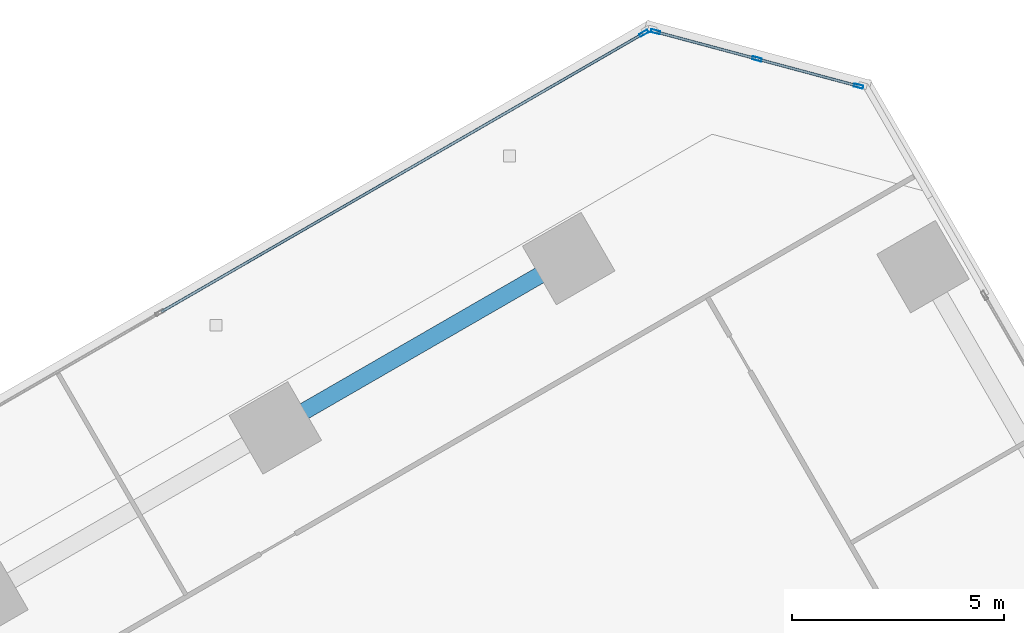
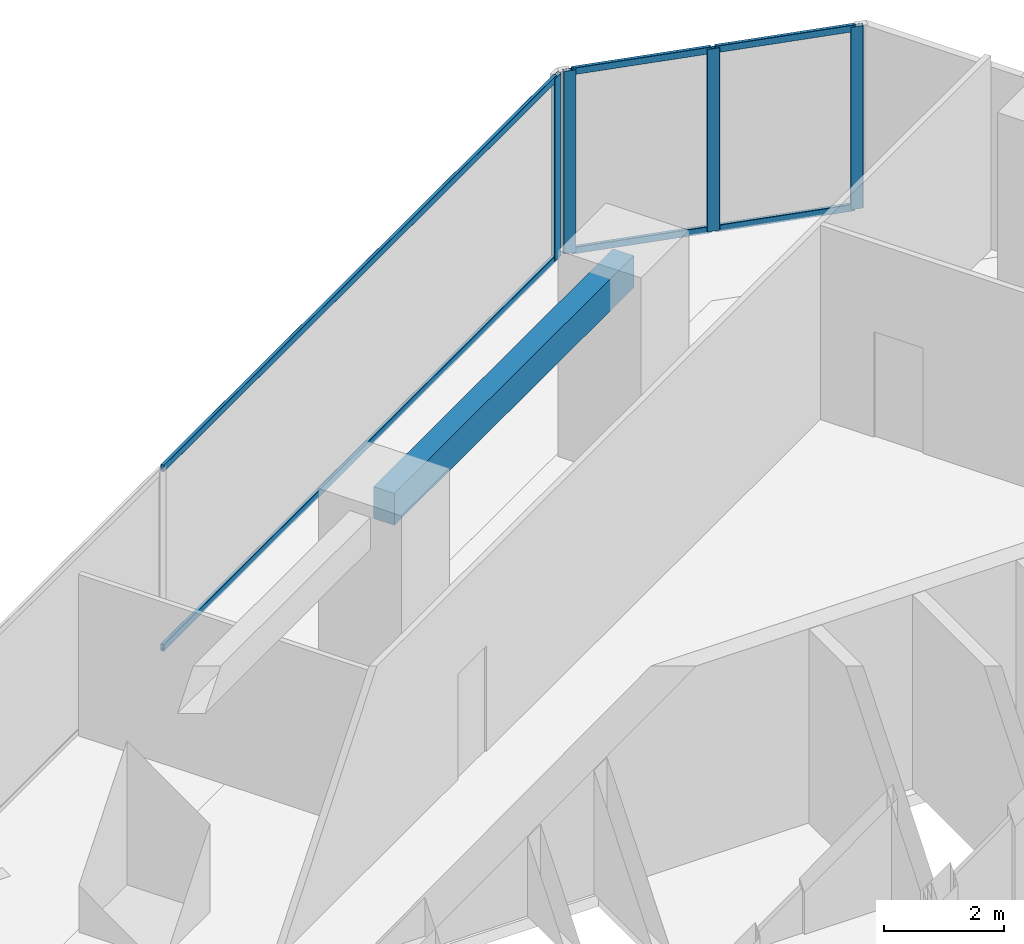
# One storey, part 9 of 16: 10 members, 1 beam, 2 elements without a shape of their own.
"""IFC4 building model written with IfcOpenShell, lengths in metres."""

from ifc_helpers import new_model, si_unit, direction, frame, origin, origin_2d, place, context, subcontext, project, spatial, rectangle, hollow_rectangle, extrude, source, transform, mapped, material, material_profile, profile_set, type_object, element, aggregate, save


model = new_model("IFC4")

# Units and contexts
model_context = context("Model", 3, precision=1e-05, world=origin(), true_north=direction((0.0, 1.0)))
body_context = subcontext(model_context, "Body", "Model", "MODEL_VIEW")
ifc_project = project(units=[si_unit("LENGTHUNIT", "METRE"), si_unit("AREAUNIT", "SQUARE_METRE"), si_unit("VOLUMEUNIT", "CUBIC_METRE"), si_unit("PLANEANGLEUNIT", "RADIAN"), si_unit("MASSUNIT", "GRAM", prefix="KILO")], contexts=[model_context])

# Site, building, storey
site_placement = place(None, origin())
site = spatial("IfcSite", under=ifc_project, at=site_placement, CompositionType="ELEMENT")
building_placement = place(site_placement, origin())
building = spatial("IfcBuilding", under=site, at=building_placement, Name="Torre Montelarca", CompositionType="ELEMENT")
storey_placement = place(building_placement, frame((0.0, 0.0, 319.800048828125)))
storey = spatial("IfcBuildingStorey", under=building, at=storey_placement, Name="L72", CompositionType="ELEMENT", Elevation=319.800048828125)

# Beam
ifc_material_1 = material(Name="Concrete C40/50", Category="concrete")
ifc_material_profile_1 = material_profile(ifc_material_1, rectangle(XDim=0.39990234375, YDim=0.64990234375, at=origin_2d()), Name="RCB400X650", Category="concrete")
ifc_profile_set_1 = profile_set([ifc_material_profile_1], Name="Concrete C40/50")
beam_type = type_object("IfcBeamType", Name="BM-SP-RC650-EXT", PredefinedType="SPANDREL", material=ifc_profile_set_1)
shared_shape_1 = source(origin(), body_context, "Body", "SweptSolid", [
    extrude(rectangle(XDim=0.39990234375, YDim=0.64990234375, at=origin_2d()), origin(), (0.0, 0.0, 1.0), 8.0),
])
beam_placement = place(storey_placement, frame((13.074951171875, 46.592529296875, 3.635009765625), z_axis=(0.866026010844, 0.49999894854, 0.0), x_axis=(-0.49999894854, 0.866026010844, 0.0)))
element("IfcBeam", 1, at=beam_placement, inside=storey, type_object=beam_type, Name="L72 Grid Girder Y 32.0-40.0 at X=4.7", PredefinedType="SPANDREL", context=body_context, shape_type="MappedRepresentation", body=[
    mapped(shared_shape_1, transform((0.0, 0.0, 0.0), scale=1.0)),
])

# Curtain wall, members
ifc_material_2 = material(Name="Insulated low-E laminated glass", Category="glass")
curtain_wall_type = type_object("IfcCurtainWallType", Name="CW-SYS-Z4", PredefinedType="USERDEFINED", material=ifc_material_2)
curtain_wall_1_placement = place(storey_placement, origin())
curtain_wall_1 = element("IfcCurtainWall", 2, at=curtain_wall_1_placement, inside=storey, type_object=curtain_wall_type, Name="L72 Curtain Wall Run CW-T3-L72-E09-B1", ObjectType="UNITISED GLAZING", PredefinedType="USERDEFINED")
ifc_material_3 = material(Name="Anodised aluminium AA 6063-T6", Category="aluminium")
ifc_material_profile_2 = material_profile(ifc_material_3, hollow_rectangle(XDim=0.074951171875, YDim=0.219970703125, WallThickness=0.0048828125, InnerFilletRadius=0.0048828125, OuterFilletRadius=0.010009765625, at=origin_2d()), Name="ALU75X220X5", Category="aluminium")
ifc_profile_set_2 = profile_set([ifc_material_profile_2], Name="Anodised aluminium AA 6063-T6")
member_type_1 = type_object("IfcMemberType", Name="CWM-ALU220", PredefinedType="MULLION", material=ifc_profile_set_2)
shared_shape_2 = source(origin(), body_context, "Body", "SweptSolid", [
    extrude(hollow_rectangle(XDim=0.074951171875, YDim=0.219970703125, WallThickness=0.0048828125, InnerFilletRadius=0.0048828125, OuterFilletRadius=0.010009765625, at=origin_2d()), origin(), (0.0, 0.0, 1.0), 3.719970703125),
])
member_1_placement = place(storey_placement, frame((26.849365234375, 54.662841796875, 0.0), z_axis=(0.0, 0.0, 1.0), x_axis=(-0.258815391137, -0.965926805359, 0.0)))
member_1 = element("IfcMember", 3, at=member_1_placement, type_object=member_type_1, Name="CW mullion 1", PredefinedType="MULLION", context=body_context, shape_type="MappedRepresentation", body=[
    mapped(shared_shape_2, transform((0.0, 0.0, 0.0), scale=1.0)),
])
member_2_placement = place(storey_placement, frame((24.450439453125, 55.3056640625, 0.0), z_axis=(0.0, 0.0, 1.0), x_axis=(-0.258815391137, -0.965926805359, 0.0)))
member_2 = element("IfcMember", 4, at=member_2_placement, type_object=member_type_1, Name="CW mullion 2", PredefinedType="MULLION", context=body_context, shape_type="MappedRepresentation", body=[
    mapped(shared_shape_2, transform((0.0, 0.0, 0.0), scale=1.0)),
])
member_3_placement = place(storey_placement, frame((22.051513671875, 55.948486328125, 0.0), z_axis=(0.0, 0.0, 1.0), x_axis=(-0.258815391137, -0.965926805359, 0.0)))
member_3 = element("IfcMember", 5, at=member_3_placement, type_object=member_type_1, Name="CW mullion 3", PredefinedType="MULLION", context=body_context, shape_type="MappedRepresentation", body=[
    mapped(shared_shape_2, transform((0.0, 0.0, 0.0), scale=1.0)),
])

# Curtain wall, member
curtain_wall_2_placement = place(storey_placement, origin())
curtain_wall_2 = element("IfcCurtainWall", 6, at=curtain_wall_2_placement, inside=storey, type_object=curtain_wall_type, Name="L72 Curtain Wall Run CW-T3-L72-E10-B1", ObjectType="UNITISED GLAZING", PredefinedType="USERDEFINED")
member_4_placement = place(storey_placement, frame((21.777587890625, 55.912353515625, 0.0), z_axis=(0.0, 0.0, 1.0), x_axis=(0.500000111201, -0.866025339582, 0.0)))
member_4 = element("IfcMember", 7, at=member_4_placement, type_object=member_type_1, Name="CW mullion 1", PredefinedType="MULLION", context=body_context, shape_type="MappedRepresentation", body=[
    mapped(shared_shape_2, transform((0.0, 0.0, 0.0), scale=1.0)),
])

# Member
ifc_material_profile_3 = material_profile(ifc_material_3, hollow_rectangle(XDim=0.06494140625, YDim=0.139892578125, WallThickness=0.00390625, InnerFilletRadius=0.00390625, OuterFilletRadius=0.008056640625, at=origin_2d()), Name="ALU65X140X4", Category="aluminium")
ifc_profile_set_3 = profile_set([ifc_material_profile_3], Name="Anodised aluminium AA 6063-T6")
member_type_2 = type_object("IfcMemberType", Name="CWT-ALU140", PredefinedType="USERDEFINED", material=ifc_profile_set_3)
shared_shape_3 = source(origin(), body_context, "Body", "SweptSolid", [
    extrude(hollow_rectangle(XDim=0.06494140625, YDim=0.139892578125, WallThickness=0.00390625, InnerFilletRadius=0.00390625, OuterFilletRadius=0.008056640625, at=origin_2d()), origin(), (0.0, 0.0, 1.0), 2.40869140625),
])
member_5_placement = place(storey_placement, frame((24.414306640625, 55.3154296875, 0.032470703125), z_axis=(-0.965939908624, 0.258766483391, 0.0), x_axis=(-0.258766483391, -0.965939908624, 0.0)))
member_5 = element("IfcMember", 8, at=member_5_placement, type_object=member_type_2, Name="CW transom 2.1", ObjectType="TRANSOM", PredefinedType="USERDEFINED", context=body_context, shape_type="MappedRepresentation", body=[
    mapped(shared_shape_3, transform((0.0, 0.0, 0.0), scale=1.0)),
])

member_6_placement = place(storey_placement, frame((24.414306640625, 55.3154296875, 3.6875), z_axis=(-0.965939908624, 0.258766483391, 0.0), x_axis=(-0.258766483391, -0.965939908624, 0.0)))
member_6 = element("IfcMember", 9, at=member_6_placement, type_object=member_type_2, Name="CW transom 2.2", ObjectType="TRANSOM", PredefinedType="USERDEFINED", context=body_context, shape_type="MappedRepresentation", body=[
    mapped(shared_shape_3, transform((0.0, 0.0, 0.0), scale=1.0)),
])

shared_shape_4 = source(origin(), body_context, "Body", "SweptSolid", [
    extrude(hollow_rectangle(XDim=0.06494140625, YDim=0.139892578125, WallThickness=0.00390625, InnerFilletRadius=0.00390625, OuterFilletRadius=0.008056640625, at=origin_2d()), origin(), (0.0, 0.0, 1.0), 2.408447265625),
])
member_7_placement = place(storey_placement, frame((26.813232421875, 54.672607421875, 0.032470703125), z_axis=(-0.965933120699, 0.258791820458, 0.0), x_axis=(-0.258791820458, -0.965933120699, 0.0)))
member_7 = element("IfcMember", 10, at=member_7_placement, type_object=member_type_2, Name="CW transom 1.1", ObjectType="TRANSOM", PredefinedType="USERDEFINED", context=body_context, shape_type="MappedRepresentation", body=[
    mapped(shared_shape_4, transform((0.0, 0.0, 0.0), scale=1.0)),
])

member_8_placement = place(storey_placement, frame((26.813232421875, 54.672607421875, 3.6875), z_axis=(-0.965933120699, 0.258791820458, 0.0), x_axis=(-0.258791820458, -0.965933120699, 0.0)))
member_8 = element("IfcMember", 11, at=member_8_placement, type_object=member_type_2, Name="CW transom 1.2", ObjectType="TRANSOM", PredefinedType="USERDEFINED", context=body_context, shape_type="MappedRepresentation", body=[
    mapped(shared_shape_4, transform((0.0, 0.0, 0.0), scale=1.0)),
])

aggregate(curtain_wall_1, [member_1, member_2, member_3, member_7, member_8, member_5, member_6])

shared_shape_5 = source(origin(), body_context, "Body", "SweptSolid", [
    extrude(hollow_rectangle(XDim=0.06494140625, YDim=0.139892578125, WallThickness=0.00390625, InnerFilletRadius=0.00390625, OuterFilletRadius=0.008056640625, at=origin_2d()), origin(), (0.0, 0.0, 1.0), 13.121826171875),
])
member_9_placement = place(storey_placement, frame((21.7451171875, 55.893798828125, 0.032470703125), z_axis=(-0.866020131804, -0.500009131227, 0.0), x_axis=(0.500009131227, -0.866020131804, 0.0)))
member_9 = element("IfcMember", 12, at=member_9_placement, type_object=member_type_2, Name="CW transom 1.1", ObjectType="TRANSOM", PredefinedType="USERDEFINED", context=body_context, shape_type="MappedRepresentation", body=[
    mapped(shared_shape_5, transform((0.0, 0.0, 0.0), scale=1.0)),
])

member_10_placement = place(storey_placement, frame((21.7451171875, 55.893798828125, 3.6875), z_axis=(-0.866020131804, -0.500009131227, 0.0), x_axis=(0.500009131227, -0.866020131804, 0.0)))
member_10 = element("IfcMember", 13, at=member_10_placement, type_object=member_type_2, Name="CW transom 1.2", ObjectType="TRANSOM", PredefinedType="USERDEFINED", context=body_context, shape_type="MappedRepresentation", body=[
    mapped(shared_shape_5, transform((0.0, 0.0, 0.0), scale=1.0)),
])

aggregate(curtain_wall_2, [member_4, member_9, member_10])

save(model, "model.ifc")
